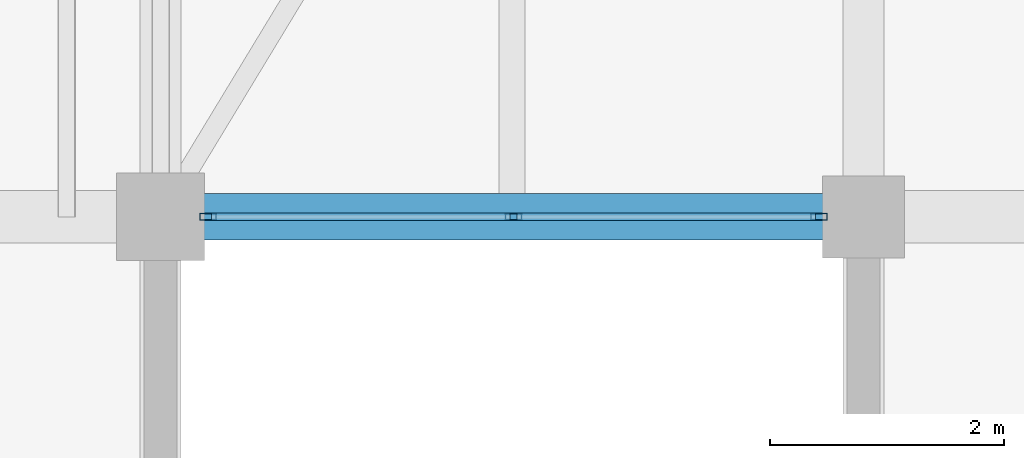
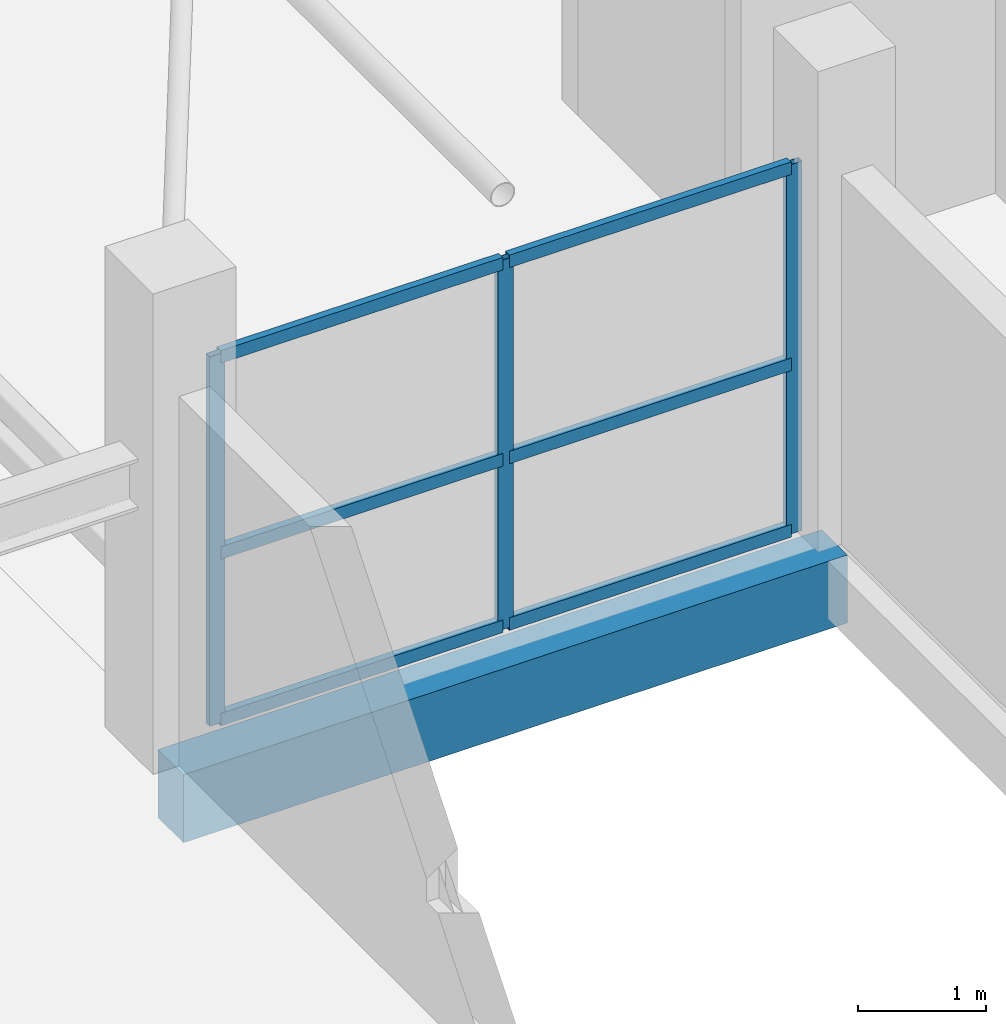
# One storey, part 15 of 55: 9 members, 1 beam, 1 element without a shape of its own.
"""IFC4 building model written with IfcOpenShell, lengths in metres."""

from ifc_helpers import new_model, si_unit, direction, frame, origin, origin_2d, place, context, subcontext, project, spatial, rectangle, hollow_rectangle, extrude, material, layer, layer_set, material_profile, profile_set, type_object, element, aggregate, save


model = new_model("IFC4")

# Units and contexts
model_context = context("Model", 3, precision=1e-05, world=origin(), true_north=direction((0.0, 1.0)))
body_context = subcontext(model_context, "Body", "Model", "MODEL_VIEW")
ifc_project = project(units=[si_unit("LENGTHUNIT", "METRE"), si_unit("AREAUNIT", "SQUARE_METRE"), si_unit("VOLUMEUNIT", "CUBIC_METRE"), si_unit("PLANEANGLEUNIT", "RADIAN"), si_unit("MASSUNIT", "GRAM", prefix="KILO")], contexts=[model_context])

# Site, building, storey
site_placement = place(None, origin())
site = spatial("IfcSite", under=ifc_project, at=site_placement, CompositionType="ELEMENT")
building_placement = place(site_placement, origin())
building = spatial("IfcBuilding", under=site, at=building_placement, Name="Sillaruma Civic Art Gallery", CompositionType="ELEMENT")
storey_placement = place(building_placement, frame((0.0, 0.0, 37.739990234375)))
storey = spatial("IfcBuildingStorey", under=building, at=storey_placement, Name="L07", CompositionType="ELEMENT", Elevation=37.739990234375)

# Beam
ifc_material_1 = material(Name="Concrete H35 (35 MPa)", Category="concrete")
ifc_material_profile_1 = material_profile(ifc_material_1, rectangle(XDim=0.39990234375, YDim=0.64990234375, at=origin_2d()), Name="RCB400x650")
ifc_profile_set_1 = profile_set([ifc_material_profile_1], Name="Concrete H35 (35 MPa)")
beam_type = type_object("IfcBeamType", Name="BM-BEAM-RCB400x650", PredefinedType="BEAM", material=ifc_profile_set_1)
beam_placement = place(storey_placement, frame((92.0, 39.60009765625, -0.56494140625), z_axis=(1.0, 0.0, 0.0), x_axis=(0.0, 1.0, 0.0)))
element("IfcBeam", 1, at=beam_placement, inside=storey, type_object=beam_type, Name="Beam BM-05 (L06:5:K-L)", PredefinedType="BEAM", context=body_context, shape_type="SweptSolid", body=[
    extrude(rectangle(XDim=0.39990234375, YDim=0.64990234375, at=origin_2d()), origin(), (0.0, 0.0, 1.0), 6.0),
])

# Curtain wall, members
ifc_material_2 = material(Name="Thermally Broken Extruded Aluminium 6063-T6", Category="aluminium")
ifc_layer = layer(ifc_material_2, 0.139892578125, Name="Thermally Broken Extruded Aluminium 6063-T6")
ifc_layer_set = layer_set([ifc_layer], Name="Thermally Broken Extruded Aluminium 6063-T6")
curtain_wall_type = type_object("IfcCurtainWallType", Name="CW-UNI-53", PredefinedType="NOTDEFINED", material=ifc_layer_set)
curtain_wall_placement = place(storey_placement, origin())
curtain_wall = element("IfcCurtainWall", 2, at=curtain_wall_placement, inside=storey, type_object=curtain_wall_type, Name="Unitised Curtain Wall CW-53 (CW-L07-CYN-S)", PredefinedType="NOTDEFINED")
ifc_material_profile_2 = material_profile(ifc_material_2, hollow_rectangle(XDim=0.06005859375, YDim=0.139892578125, WallThickness=0.00341796875, at=origin_2d()), Name="CWM60x140")
ifc_profile_set_2 = profile_set([ifc_material_profile_2], Name="Thermally Broken Extruded Aluminium 6063-T6")
member_type_1 = type_object("IfcMemberType", Name="MEM-MUL-CWM60x140", PredefinedType="MULLION", material=ifc_profile_set_2)
member_1_placement = place(storey_placement, frame((92.405029296875, 39.60009765625, 0.0), z_axis=(0.0, 0.0, 1.0), x_axis=(0.0, 1.0, 0.0)))
member_1 = element("IfcMember", 3, at=member_1_placement, type_object=member_type_1, Name="CW-53 mullion 1", PredefinedType="MULLION", context=body_context, shape_type="SweptSolid", body=[
    extrude(hollow_rectangle(XDim=0.06005859375, YDim=0.139892578125, WallThickness=0.00341796875, at=origin_2d()), origin(), (0.0, 0.0, 1.0), 3.530029296875),
])
member_2_placement = place(storey_placement, frame((95.012451171875, 39.60009765625, 0.0), z_axis=(0.0, 0.0, 1.0), x_axis=(0.0, 1.0, 0.0)))
member_2 = element("IfcMember", 4, at=member_2_placement, type_object=member_type_1, Name="CW-53 mullion 2", PredefinedType="MULLION", context=body_context, shape_type="SweptSolid", body=[
    extrude(hollow_rectangle(XDim=0.06005859375, YDim=0.139892578125, WallThickness=0.00341796875, at=origin_2d()), origin(), (0.0, 0.0, 1.0), 3.530029296875),
])
member_3_placement = place(storey_placement, frame((97.6201171875, 39.60009765625, 0.0), z_axis=(0.0, 0.0, 1.0), x_axis=(0.0, 1.0, 0.0)))
member_3 = element("IfcMember", 5, at=member_3_placement, type_object=member_type_1, Name="CW-53 mullion 3", PredefinedType="MULLION", context=body_context, shape_type="SweptSolid", body=[
    extrude(hollow_rectangle(XDim=0.06005859375, YDim=0.139892578125, WallThickness=0.00341796875, at=origin_2d()), origin(), (0.0, 0.0, 1.0), 3.530029296875),
])
ifc_material_profile_3 = material_profile(ifc_material_2, hollow_rectangle(XDim=0.06494140625, YDim=0.1201171875, WallThickness=0.00341796875, at=origin_2d()), Name="CWT65x120")
ifc_profile_set_3 = profile_set([ifc_material_profile_3], Name="Thermally Broken Extruded Aluminium 6063-T6")
member_type_2 = type_object("IfcMemberType", Name="MEM-TRN-CWT65x120", PredefinedType="USERDEFINED", material=ifc_profile_set_3)
member_4_placement = place(storey_placement, frame((92.43505859375, 39.60009765625, 0.032470703125), z_axis=(1.0, 0.0, 0.0), x_axis=(0.0, 1.0, 0.0)))
member_4 = element("IfcMember", 6, at=member_4_placement, type_object=member_type_2, Name="CW-53 transom 1.1", ObjectType="TRANSOM", PredefinedType="USERDEFINED", context=body_context, shape_type="SweptSolid", body=[
    extrude(hollow_rectangle(XDim=0.06494140625, YDim=0.1201171875, WallThickness=0.00341796875, at=origin_2d()), origin(), (0.0, 0.0, 1.0), 2.54736328125),
])
member_5_placement = place(storey_placement, frame((92.43505859375, 39.60009765625, 1.623779296875), z_axis=(1.0, 0.0, 0.0), x_axis=(0.0, 1.0, 0.0)))
member_5 = element("IfcMember", 7, at=member_5_placement, type_object=member_type_2, Name="CW-53 transom 1.2", ObjectType="TRANSOM", PredefinedType="USERDEFINED", context=body_context, shape_type="SweptSolid", body=[
    extrude(hollow_rectangle(XDim=0.06494140625, YDim=0.1201171875, WallThickness=0.00341796875, at=origin_2d()), origin(), (0.0, 0.0, 1.0), 2.54736328125),
])
member_6_placement = place(storey_placement, frame((92.43505859375, 39.60009765625, 3.49755859375), z_axis=(1.0, 0.0, 0.0), x_axis=(0.0, 1.0, 0.0)))
member_6 = element("IfcMember", 8, at=member_6_placement, type_object=member_type_2, Name="CW-53 transom 1.3", ObjectType="TRANSOM", PredefinedType="USERDEFINED", context=body_context, shape_type="SweptSolid", body=[
    extrude(hollow_rectangle(XDim=0.06494140625, YDim=0.1201171875, WallThickness=0.00341796875, at=origin_2d()), origin(), (0.0, 0.0, 1.0), 2.54736328125),
])
member_7_placement = place(storey_placement, frame((95.04248046875, 39.60009765625, 0.032470703125), z_axis=(1.0, 0.0, 0.0), x_axis=(0.0, 1.0, 0.0)))
member_7 = element("IfcMember", 9, at=member_7_placement, type_object=member_type_2, Name="CW-53 transom 2.1", ObjectType="TRANSOM", PredefinedType="USERDEFINED", context=body_context, shape_type="SweptSolid", body=[
    extrude(hollow_rectangle(XDim=0.06494140625, YDim=0.1201171875, WallThickness=0.00341796875, at=origin_2d()), origin(), (0.0, 0.0, 1.0), 2.547607421875),
])
member_8_placement = place(storey_placement, frame((95.04248046875, 39.60009765625, 1.623779296875), z_axis=(1.0, 0.0, 0.0), x_axis=(0.0, 1.0, 0.0)))
member_8 = element("IfcMember", 10, at=member_8_placement, type_object=member_type_2, Name="CW-53 transom 2.2", ObjectType="TRANSOM", PredefinedType="USERDEFINED", context=body_context, shape_type="SweptSolid", body=[
    extrude(hollow_rectangle(XDim=0.06494140625, YDim=0.1201171875, WallThickness=0.00341796875, at=origin_2d()), origin(), (0.0, 0.0, 1.0), 2.547607421875),
])
member_9_placement = place(storey_placement, frame((95.04248046875, 39.60009765625, 3.49755859375), z_axis=(1.0, 0.0, 0.0), x_axis=(0.0, 1.0, 0.0)))
member_9 = element("IfcMember", 11, at=member_9_placement, type_object=member_type_2, Name="CW-53 transom 2.3", ObjectType="TRANSOM", PredefinedType="USERDEFINED", context=body_context, shape_type="SweptSolid", body=[
    extrude(hollow_rectangle(XDim=0.06494140625, YDim=0.1201171875, WallThickness=0.00341796875, at=origin_2d()), origin(), (0.0, 0.0, 1.0), 2.547607421875),
])
aggregate(curtain_wall, [member_1, member_2, member_3, member_4, member_5, member_6, member_7, member_8, member_9])

save(model, "model.ifc")
